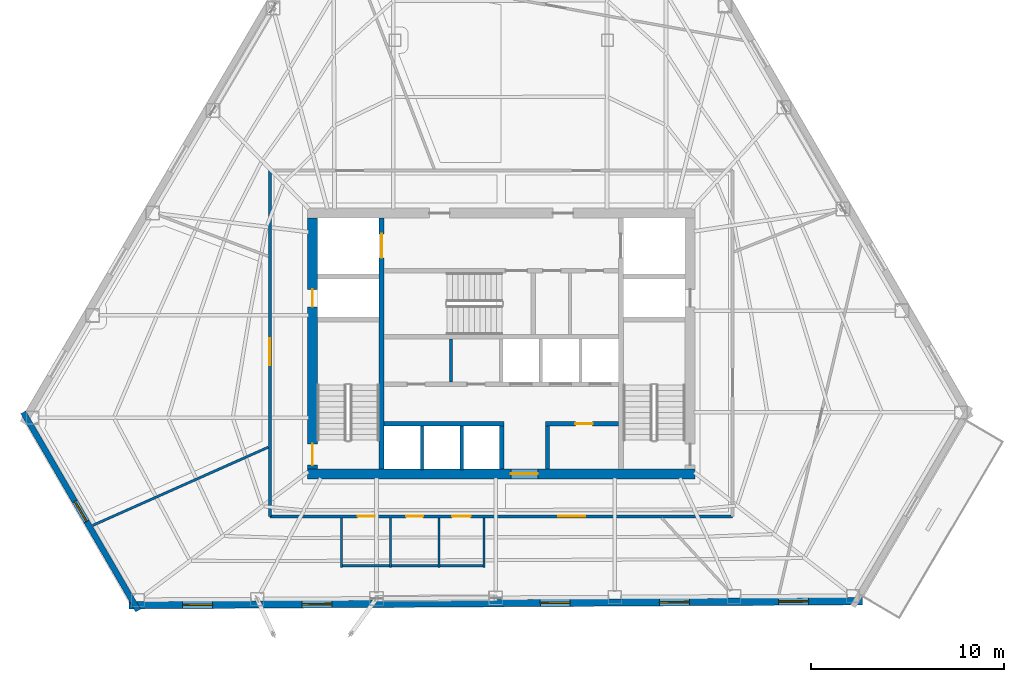
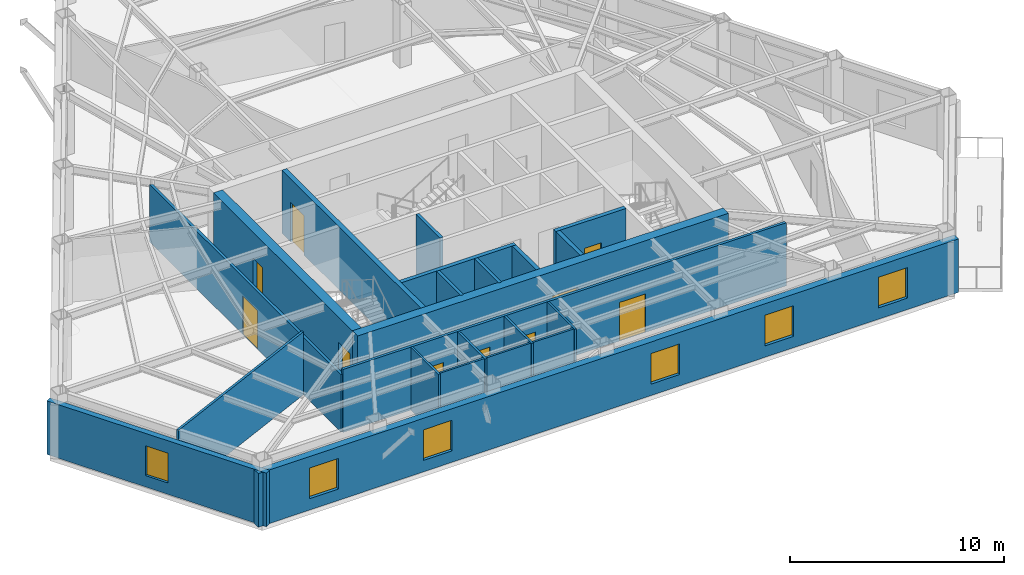
# One storey, part 6 of 11: 20 walls, 10 doors, 6 windows, 16 openings.
"""IFC4 building model written with IfcOpenShell, lengths in metres."""

from ifc_helpers import new_model, si_unit, direction, frame, frame_2d, origin, place, context, subcontext, project, spatial, rectangle, extrude, material, layer, layer_set, type_object, element, fill, save


model = new_model("IFC4")

# Units and contexts
model_context = context("Model", 3, precision=1e-05, world=origin(), true_north=direction((0.0, 1.0)))
body_context = subcontext(model_context, "Body", "Model", "MODEL_VIEW")
ifc_project = project(units=[si_unit("LENGTHUNIT", "METRE"), si_unit("AREAUNIT", "SQUARE_METRE"), si_unit("VOLUMEUNIT", "CUBIC_METRE"), si_unit("PLANEANGLEUNIT", "RADIAN"), si_unit("MASSUNIT", "GRAM", prefix="KILO")], contexts=[model_context])

# Site, building, storey
site_placement = place(None, origin())
site = spatial("IfcSite", under=ifc_project, at=site_placement, CompositionType="ELEMENT")
building_placement = place(site_placement, origin())
building = spatial("IfcBuilding", under=site, at=building_placement, Name="Kavelnor Concourse Tower", CompositionType="ELEMENT")
storey_placement = place(building_placement, frame((0.0, 0.0, 139.39990234375)))
storey = spatial("IfcBuildingStorey", under=building, at=storey_placement, Name="L35", CompositionType="ELEMENT", Elevation=139.39990234375)

# Wall, opening, door
ifc_material_1 = material(Name="Concrete C60/75", Category="concrete")
ifc_layer_1 = layer(ifc_material_1, 0.5, Name="Concrete C60/75")
ifc_layer_set_1 = layer_set([ifc_layer_1], Name="Concrete C60/75")
wall_type_1 = type_object("IfcWallType", Name="WL-CORE-Z2-500", PredefinedType="SOLIDWALL", material=ifc_layer_set_1)
wall_1_placement = place(storey_placement, frame((27.97998046875, 9.35009765625, 0.0), z_axis=(0.0, 0.0, 1.0), x_axis=(1.0, 0.0, 0.0)))
wall_1 = element("IfcWall", 1, at=wall_1_placement, inside=storey, type_object=wall_type_1, Name="L35 Central Core South Shear Wall", PredefinedType="SOLIDWALL", context=body_context, shape_type="SweptSolid", body=[
    extrude(rectangle(XDim=20.0400390625, YDim=0.5, at=frame_2d((10.02001953125, 0.0))), origin(), (0.0, 0.0, 1.0), 3.60009765625),
])
opening_1_placement = place(wall_1_placement, frame((10.52001953125, 0.0, 0.0)))
opening_1 = element("IfcOpeningElement", 2, at=opening_1_placement, cuts=wall_1, Name="Opening SD-140", PredefinedType="OPENING", context=body_context, shape_type="SweptSolid", body=[
    extrude(rectangle(XDim=1.39990234375, YDim=2.199951171875, at=frame_2d((0.699951171875, 1.10009765625))), frame((0.0, 0.260009765625, 0.0), z_axis=(0.0, -1.0, 0.0), x_axis=(1.0, 0.0, 0.0)), (0.0, 0.0, 1.0), 0.52001953125),
])
ifc_material_2 = material(Name="Solid-core hardwood timber", Category="wood")
door_type_1 = type_object("IfcDoorType", Name="DR-SUITE-ENTRY-1400", OperationType="NOTDEFINED", PredefinedType="DOOR", material=ifc_material_2)
door_1_placement = place(opening_1_placement, origin())
door_1 = element("IfcDoor", 3, at=door_1_placement, inside=storey, type_object=door_type_1, Name="L35 Passenger Lift Lobby Entry Door", OperationType="SINGLE_SWING_RIGHT", OverallHeight=2.199951171875, OverallWidth=1.39990234375, PredefinedType="DOOR", context=body_context, shape_type="SweptSolid", body=[
    extrude(rectangle(XDim=1.39990234375, YDim=2.199951171875, at=frame_2d((0.699951171875, 1.10009765625))), frame((0.0, 0.02490234375, 0.0), z_axis=(0.0, -1.0, 0.0), x_axis=(1.0, 0.0, 0.0)), (0.0, 0.0, 1.0), 0.050048828125),
])
fill(opening_1, door_1)

# Wall, openings, doors
wall_2_placement = place(storey_placement, frame((28.22998046875, 9.60009765625, 0.0), z_axis=(0.0, 0.0, 1.0), x_axis=(0.0, 1.0, 0.0)))
wall_2 = element("IfcWall", 4, at=wall_2_placement, inside=storey, type_object=wall_type_1, Name="L35 Central Core West Shear Wall", PredefinedType="SOLIDWALL", context=body_context, shape_type="SweptSolid", body=[
    extrude(rectangle(XDim=13.0, YDim=0.5, at=frame_2d((6.5, 0.0))), origin(), (0.0, 0.0, 1.0), 3.60009765625),
])
opening_2_placement = place(wall_2_placement, frame((0.199951171875, 0.0, 0.0)))
opening_2 = element("IfcOpeningElement", 5, at=opening_2_placement, cuts=wall_2, Name="Opening FD-110", PredefinedType="OPENING", context=body_context, shape_type="SweptSolid", body=[
    extrude(rectangle(XDim=1.10009765625, YDim=2.14990234375, at=frame_2d((0.550048828125, 1.074951171875))), frame((0.0, 0.260009765625, 0.0), z_axis=(0.0, -1.0, 0.0), x_axis=(1.0, 0.0, 0.0)), (0.0, 0.0, 1.0), 0.52001953125),
])
opening_3_placement = place(wall_2_placement, frame((8.39990234375, 0.0, 0.0)))
opening_3 = element("IfcOpeningElement", 6, at=opening_3_placement, cuts=wall_2, Name="Opening FD-090", PredefinedType="OPENING", context=body_context, shape_type="SweptSolid", body=[
    extrude(rectangle(XDim=0.89990234375, YDim=2.10009765625, at=frame_2d((0.449951171875, 1.050048828125))), frame((0.0, 0.260009765625, 0.0), z_axis=(0.0, -1.0, 0.0), x_axis=(1.0, 0.0, 0.0)), (0.0, 0.0, 1.0), 0.52001953125),
])
ifc_material_3 = material(Name="Steel Grade 350", Category="steel")
door_type_2 = type_object("IfcDoorType", Name="DR-RISER-FIRE-900", OperationType="NOTDEFINED", PredefinedType="DOOR", material=ifc_material_3)
door_2_placement = place(opening_3_placement, origin())
door_2 = element("IfcDoor", 7, at=door_2_placement, inside=storey, type_object=door_type_2, Name="L35 West Riser Access Door", OperationType="SINGLE_SWING_RIGHT", OverallHeight=2.10009765625, OverallWidth=0.89990234375, PredefinedType="DOOR", context=body_context, shape_type="SweptSolid", body=[
    extrude(rectangle(XDim=0.89990234375, YDim=2.10009765625, at=frame_2d((0.449951171875, 1.050048828125))), frame((0.0, 0.02490234375, 0.0), z_axis=(0.0, -1.0, 0.0), x_axis=(1.0, 0.0, 0.0)), (0.0, 0.0, 1.0), 0.050048828125),
])
fill(opening_3, door_2)
door_type_3 = type_object("IfcDoorType", Name="DR-STAIR-FIRE-1100", OperationType="NOTDEFINED", PredefinedType="DOOR", material=ifc_material_3)
door_3_placement = place(opening_2_placement, origin())
door_3 = element("IfcDoor", 8, at=door_3_placement, inside=storey, type_object=door_type_3, Name="L35 Stair ST1 Fire Door", OperationType="SINGLE_SWING_LEFT", OverallHeight=2.14990234375, OverallWidth=1.10009765625, PredefinedType="DOOR", context=body_context, shape_type="SweptSolid", body=[
    extrude(rectangle(XDim=1.10009765625, YDim=2.14990234375, at=frame_2d((0.550048828125, 1.074951171875))), frame((0.0, 0.02490234375, 0.0), z_axis=(0.0, -1.0, 0.0), x_axis=(1.0, 0.0, 0.0)), (0.0, 0.0, 1.0), 0.050048828125),
])
fill(opening_2, door_3)

# Wall, opening, window
ifc_material_4 = material(Name="Buff ironspot clay face brick masonry", Category="masonry")
ifc_layer_2 = layer(ifc_material_4, 0.300048828125, Name="Buff ironspot clay face brick masonry")
ifc_layer_set_2 = layer_set([ifc_layer_2], Name="Buff ironspot clay face brick masonry")
wall_type_2 = type_object("IfcWallType", Name="WL-EXT-BUFF-BRICK-FOLD-300", PredefinedType="STANDARD", material=ifc_layer_set_2)
wall_3_placement = place(storey_placement, frame((19.209228515625, 2.28173828125, 0.0), z_axis=(0.0, 0.0, 1.0), x_axis=(-0.501777863024, 0.864996518016, 0.0)))
wall_3 = element("IfcWall", 9, at=wall_3_placement, inside=storey, type_object=wall_type_2, Name="L35 Exterior Brick Facade Wall E2", PredefinedType="STANDARD", context=body_context, shape_type="SweptSolid", body=[
    extrude(rectangle(XDim=11.858154296875, YDim=0.300048828125, at=frame_2d((5.92919921875, 0.0))), origin(), (0.0, 0.0, 1.0), 3.05908203125),
])
opening_4_placement = place(wall_3_placement, frame((5.3291015625, 0.0, 0.64990234375)))
opening_4 = element("IfcOpeningElement", 10, at=opening_4_placement, cuts=wall_3, Name="Opening W-05", PredefinedType="OPENING", context=body_context, shape_type="SweptSolid", body=[
    extrude(rectangle(XDim=1.199951171875, YDim=1.699951171875, at=frame_2d((0.60009765625, 0.85009765625))), frame((0.0, 0.16015625, 0.0), z_axis=(0.0, -1.0, 0.0), x_axis=(1.0, 0.0, 0.0)), (0.0, 0.0, 1.0), 0.320068359375),
])
ifc_material_5 = material(Name="Double low-E argon insulated glazing", Category="glass")
window_type_1 = type_object("IfcWindowType", Name="WIN-FOLD-1200", PartitioningType="SINGLE_PANEL", PredefinedType="WINDOW", material=ifc_material_5)
window_1_placement = place(opening_4_placement, origin())
window_1 = element("IfcWindow", 11, at=window_1_placement, inside=storey, type_object=window_type_1, Name="L35 Chamfer-Fold Facet Window C1", OverallHeight=1.699951171875, OverallWidth=1.199951171875, PartitioningType="SINGLE_PANEL", PredefinedType="WINDOW", context=body_context, shape_type="SweptSolid", body=[
    extrude(rectangle(XDim=1.199951171875, YDim=1.699951171875, at=frame_2d((0.60009765625, 0.85009765625))), frame((0.0, 0.030029296875, 0.0), z_axis=(0.0, -1.0, 0.0), x_axis=(1.0, 0.0, 0.0)), (0.0, 0.0, 1.0), 0.06005859375),
])
fill(opening_4, window_1)

# Wall, openings, windows
ifc_material_6 = material(Name="Red-ochre clay face brick masonry", Category="masonry")
ifc_layer_3 = layer(ifc_material_6, 0.3798828125, Name="Red-ochre clay face brick masonry")
ifc_layer_set_3 = layer_set([ifc_layer_3], Name="Red-ochre clay face brick masonry")
wall_type_3 = type_object("IfcWallType", Name="WL-EXT-RED-BRICK-PIER-380", PredefinedType="STANDARD", material=ifc_layer_set_3)
wall_4_placement = place(storey_placement, frame((56.685546875, 2.769287109375, 0.0), z_axis=(0.0, 0.0, 1.0), x_axis=(-0.999984524956, -0.00556325886, 0.0)))
wall_4 = element("IfcWall", 12, at=wall_4_placement, inside=storey, type_object=wall_type_3, Name="L35 Exterior Brick Facade Wall E3", PredefinedType="STANDARD", context=body_context, shape_type="SweptSolid", body=[
    extrude(rectangle(XDim=37.9599609375, YDim=0.3798828125, at=frame_2d((18.97998046875, 0.0))), origin(), (0.0, 0.0, 1.0), 3.05908203125),
])
opening_5_placement = place(wall_4_placement, frame((33.622802734375, 0.0, 0.64990234375)))
opening_5 = element("IfcOpeningElement", 13, at=opening_5_placement, cuts=wall_4, Name="Opening W-02", PredefinedType="OPENING", context=body_context, shape_type="SweptSolid", body=[
    extrude(rectangle(XDim=1.550048828125, YDim=1.75, at=frame_2d((0.77490234375, 0.875))), frame((0.0, 0.199951171875, 0.0), z_axis=(0.0, -1.0, 0.0), x_axis=(1.0, 0.0, 0.0)), (0.0, 0.0, 1.0), 0.39990234375),
])
opening_6_placement = place(wall_4_placement, frame((27.45458984375, 0.0, 0.64990234375)))
opening_6 = element("IfcOpeningElement", 14, at=opening_6_placement, cuts=wall_4, Name="Opening W-02", PredefinedType="OPENING", context=body_context, shape_type="SweptSolid", body=[
    extrude(rectangle(XDim=1.550048828125, YDim=1.75, at=frame_2d((0.77490234375, 0.875))), frame((0.0, 0.199951171875, 0.0), z_axis=(0.0, -1.0, 0.0), x_axis=(1.0, 0.0, 0.0)), (0.0, 0.0, 1.0), 0.39990234375),
])
opening_7_placement = place(wall_4_placement, frame((15.118408203125, 0.0, 0.64990234375)))
opening_7 = element("IfcOpeningElement", 15, at=opening_7_placement, cuts=wall_4, Name="Opening W-02", PredefinedType="OPENING", context=body_context, shape_type="SweptSolid", body=[
    extrude(rectangle(XDim=1.550048828125, YDim=1.75, at=frame_2d((0.77490234375, 0.875))), frame((0.0, 0.199951171875, 0.0), z_axis=(0.0, -1.0, 0.0), x_axis=(1.0, 0.0, 0.0)), (0.0, 0.0, 1.0), 0.39990234375),
])
opening_8_placement = place(wall_4_placement, frame((8.9501953125, 0.0, 0.64990234375)))
opening_8 = element("IfcOpeningElement", 16, at=opening_8_placement, cuts=wall_4, Name="Opening W-02", PredefinedType="OPENING", context=body_context, shape_type="SweptSolid", body=[
    extrude(rectangle(XDim=1.550048828125, YDim=1.75, at=frame_2d((0.77490234375, 0.875))), frame((0.0, 0.199951171875, 0.0), z_axis=(0.0, -1.0, 0.0), x_axis=(1.0, 0.0, 0.0)), (0.0, 0.0, 1.0), 0.39990234375),
])
opening_9_placement = place(wall_4_placement, frame((2.781982421875, 0.0, 0.64990234375)))
opening_9 = element("IfcOpeningElement", 17, at=opening_9_placement, cuts=wall_4, Name="Opening W-02", PredefinedType="OPENING", context=body_context, shape_type="SweptSolid", body=[
    extrude(rectangle(XDim=1.550048828125, YDim=1.75, at=frame_2d((0.77490234375, 0.875))), frame((0.0, 0.199951171875, 0.0), z_axis=(0.0, -1.0, 0.0), x_axis=(1.0, 0.0, 0.0)), (0.0, 0.0, 1.0), 0.39990234375),
])
window_type_2 = type_object("IfcWindowType", Name="WIN-PIER-Z2-1650", PartitioningType="SINGLE_PANEL", PredefinedType="WINDOW", material=ifc_material_5)
window_2_placement = place(opening_5_placement, origin())
window_2 = element("IfcWindow", 18, at=window_2_placement, inside=storey, type_object=window_type_2, Name="L35 Deep-Set Brick Pier Window F1-B0", OverallHeight=1.75, OverallWidth=1.550048828125, PartitioningType="SINGLE_PANEL", PredefinedType="WINDOW", context=body_context, shape_type="SweptSolid", body=[
    extrude(rectangle(XDim=1.550048828125, YDim=1.75, at=frame_2d((0.77490234375, 0.875))), frame((0.0, 0.030029296875, 0.0), z_axis=(0.0, -1.0, 0.0), x_axis=(1.0, 0.0, 0.0)), (0.0, 0.0, 1.0), 0.06005859375),
])
fill(opening_5, window_2)
window_3_placement = place(opening_6_placement, origin())
window_3 = element("IfcWindow", 19, at=window_3_placement, inside=storey, type_object=window_type_2, Name="L35 Deep-Set Brick Pier Window F1-B1", OverallHeight=1.75, OverallWidth=1.550048828125, PartitioningType="SINGLE_PANEL", PredefinedType="WINDOW", context=body_context, shape_type="SweptSolid", body=[
    extrude(rectangle(XDim=1.550048828125, YDim=1.75, at=frame_2d((0.77490234375, 0.875))), frame((0.0, 0.030029296875, 0.0), z_axis=(0.0, -1.0, 0.0), x_axis=(1.0, 0.0, 0.0)), (0.0, 0.0, 1.0), 0.06005859375),
])
fill(opening_6, window_3)
window_4_placement = place(opening_7_placement, origin())
window_4 = element("IfcWindow", 20, at=window_4_placement, inside=storey, type_object=window_type_2, Name="L35 Deep-Set Brick Pier Window F1-B3", OverallHeight=1.75, OverallWidth=1.550048828125, PartitioningType="SINGLE_PANEL", PredefinedType="WINDOW", context=body_context, shape_type="SweptSolid", body=[
    extrude(rectangle(XDim=1.550048828125, YDim=1.75, at=frame_2d((0.77490234375, 0.875))), frame((0.0, 0.030029296875, 0.0), z_axis=(0.0, -1.0, 0.0), x_axis=(1.0, 0.0, 0.0)), (0.0, 0.0, 1.0), 0.06005859375),
])
fill(opening_7, window_4)
window_5_placement = place(opening_8_placement, origin())
window_5 = element("IfcWindow", 21, at=window_5_placement, inside=storey, type_object=window_type_2, Name="L35 Deep-Set Brick Pier Window F1-B4", OverallHeight=1.75, OverallWidth=1.550048828125, PartitioningType="SINGLE_PANEL", PredefinedType="WINDOW", context=body_context, shape_type="SweptSolid", body=[
    extrude(rectangle(XDim=1.550048828125, YDim=1.75, at=frame_2d((0.77490234375, 0.875))), frame((0.0, 0.030029296875, 0.0), z_axis=(0.0, -1.0, 0.0), x_axis=(1.0, 0.0, 0.0)), (0.0, 0.0, 1.0), 0.06005859375),
])
fill(opening_8, window_5)
window_6_placement = place(opening_9_placement, origin())
window_6 = element("IfcWindow", 22, at=window_6_placement, inside=storey, type_object=window_type_2, Name="L35 Deep-Set Brick Pier Window F1-B5", OverallHeight=1.75, OverallWidth=1.550048828125, PartitioningType="SINGLE_PANEL", PredefinedType="WINDOW", context=body_context, shape_type="SweptSolid", body=[
    extrude(rectangle(XDim=1.550048828125, YDim=1.75, at=frame_2d((0.77490234375, 0.875))), frame((0.0, 0.030029296875, 0.0), z_axis=(0.0, -1.0, 0.0), x_axis=(1.0, 0.0, 0.0)), (0.0, 0.0, 1.0), 0.06005859375),
])
fill(opening_9, window_6)

# Wall, opening, door
ifc_material_7 = material(Name="Gypsum plasterboard on light-gauge steel studs", Category="steel")
ifc_layer_4 = layer(ifc_material_7, 0.14501953125, Name="Gypsum plasterboard on light-gauge steel studs")
ifc_layer_set_4 = layer_set([ifc_layer_4], Name="Gypsum plasterboard on light-gauge steel studs")
wall_type_4 = type_object("IfcWallType", Name="WL-INT-CORR-145", PredefinedType="PARTITIONING", material=ifc_layer_set_4)
wall_5_placement = place(storey_placement, frame((26.030029296875, 25.050048828125, 0.0), z_axis=(0.0, 0.0, 1.0), x_axis=(0.0, -1.0, 0.0)))
wall_5 = element("IfcWall", 23, at=wall_5_placement, inside=storey, type_object=wall_type_4, Name="L35 Corridor Wall WL-L35-CR-03", PredefinedType="PARTITIONING", context=body_context, shape_type="SweptSolid", body=[
    extrude(rectangle(XDim=17.900146484375, YDim=0.14501953125, at=frame_2d((8.9501953125, 0.0))), origin(), (0.0, 0.0, 1.0), 3.2880859375),
])
opening_10_placement = place(wall_5_placement, frame((8.675537109375, 0.0, 0.0)))
opening_10 = element("IfcOpeningElement", 24, at=opening_10_placement, cuts=wall_5, Name="Opening SD-140", PredefinedType="OPENING", context=body_context, shape_type="SweptSolid", body=[
    extrude(rectangle(XDim=1.39990234375, YDim=2.199951171875, at=frame_2d((0.699951171875, 1.10009765625))), frame((0.0, 0.08251953125, 0.0), z_axis=(0.0, -1.0, 0.0), x_axis=(1.0, 0.0, 0.0)), (0.0, 0.0, 1.0), 0.1650390625),
])
door_4_placement = place(opening_10_placement, origin())
door_4 = element("IfcDoor", 25, at=door_4_placement, inside=storey, type_object=door_type_1, Name="L35 Staff Breakout Pantry 04 Door", OperationType="SINGLE_SWING_RIGHT", OverallHeight=2.199951171875, OverallWidth=1.39990234375, PredefinedType="DOOR", context=body_context, shape_type="SweptSolid", body=[
    extrude(rectangle(XDim=1.39990234375, YDim=2.199951171875, at=frame_2d((0.699951171875, 1.10009765625))), frame((0.0, 0.02490234375, 0.0), z_axis=(0.0, -1.0, 0.0), x_axis=(1.0, 0.0, 0.0)), (0.0, 0.0, 1.0), 0.050048828125),
])
fill(opening_10, door_4)

# Wall, openings, doors
wall_6_placement = place(storey_placement, frame((26.030029296875, 7.14990234375, 0.0), z_axis=(0.0, 0.0, 1.0), x_axis=(1.0, 0.0, 0.0)))
wall_6 = element("IfcWall", 26, at=wall_6_placement, inside=storey, type_object=wall_type_4, Name="L35 Corridor Wall WL-L35-CR-04", PredefinedType="PARTITIONING", context=body_context, shape_type="SweptSolid", body=[
    extrude(rectangle(XDim=23.93994140625, YDim=0.14501953125, at=frame_2d((11.969970703125, 0.0))), origin(), (0.0, 0.0, 1.0), 3.60009765625),
])
opening_11_placement = place(wall_6_placement, frame((4.530029296875, 0.0, 0.0)))
opening_11 = element("IfcOpeningElement", 27, at=opening_11_placement, cuts=wall_6, Name="Opening WD-088", PredefinedType="OPENING", context=body_context, shape_type="SweptSolid", body=[
    extrude(rectangle(XDim=0.8798828125, YDim=2.10009765625, at=frame_2d((0.43994140625, 1.050048828125))), frame((0.0, 0.08251953125, 0.0), z_axis=(0.0, -1.0, 0.0), x_axis=(1.0, 0.0, 0.0)), (0.0, 0.0, 1.0), 0.1650390625),
])
opening_12_placement = place(wall_6_placement, frame((7.050048828125, 0.0, 0.0)))
opening_12 = element("IfcOpeningElement", 28, at=opening_12_placement, cuts=wall_6, Name="Opening WD-088", PredefinedType="OPENING", context=body_context, shape_type="SweptSolid", body=[
    extrude(rectangle(XDim=0.8798828125, YDim=2.10009765625, at=frame_2d((0.43994140625, 1.050048828125))), frame((0.0, 0.08251953125, 0.0), z_axis=(0.0, -1.0, 0.0), x_axis=(1.0, 0.0, 0.0)), (0.0, 0.0, 1.0), 0.1650390625),
])
opening_13_placement = place(wall_6_placement, frame((9.429931640625, 0.0, 0.0)))
opening_13 = element("IfcOpeningElement", 29, at=opening_13_placement, cuts=wall_6, Name="Opening WD-096", PredefinedType="OPENING", context=body_context, shape_type="SweptSolid", body=[
    extrude(rectangle(XDim=0.9599609375, YDim=2.10009765625, at=frame_2d((0.47998046875, 1.050048828125))), frame((0.0, 0.08251953125, 0.0), z_axis=(0.0, -1.0, 0.0), x_axis=(1.0, 0.0, 0.0)), (0.0, 0.0, 1.0), 0.1650390625),
])
opening_14_placement = place(wall_6_placement, frame((14.9248046875, 0.0, 0.0)))
opening_14 = element("IfcOpeningElement", 30, at=opening_14_placement, cuts=wall_6, Name="Opening SD-140", PredefinedType="OPENING", context=body_context, shape_type="SweptSolid", body=[
    extrude(rectangle(XDim=1.39990234375, YDim=2.199951171875, at=frame_2d((0.699951171875, 1.10009765625))), frame((0.0, 0.08251953125, 0.0), z_axis=(0.0, -1.0, 0.0), x_axis=(1.0, 0.0, 0.0)), (0.0, 0.0, 1.0), 0.1650390625),
])
door_5_placement = place(opening_14_placement, origin())
door_5 = element("IfcDoor", 31, at=door_5_placement, inside=storey, type_object=door_type_1, Name="L35 Staff Breakout Pantry 05 Door", OperationType="SINGLE_SWING_LEFT", OverallHeight=2.199951171875, OverallWidth=1.39990234375, PredefinedType="DOOR", context=body_context, shape_type="SweptSolid", body=[
    extrude(rectangle(XDim=1.39990234375, YDim=2.199951171875, at=frame_2d((0.699951171875, 1.10009765625))), frame((0.0, 0.02490234375, 0.0), z_axis=(0.0, -1.0, 0.0), x_axis=(1.0, 0.0, 0.0)), (0.0, 0.0, 1.0), 0.050048828125),
])
fill(opening_14, door_5)
door_type_4 = type_object("IfcDoorType", Name="DR-WC-ACC-960", OperationType="NOTDEFINED", PredefinedType="DOOR", material=ifc_material_2)
door_6_placement = place(opening_13_placement, origin())
door_6 = element("IfcDoor", 32, at=door_6_placement, inside=storey, type_object=door_type_4, Name="L35 Accessible WC Door", OperationType="SINGLE_SWING_LEFT", OverallHeight=2.10009765625, OverallWidth=0.9599609375, PredefinedType="DOOR", context=body_context, shape_type="SweptSolid", body=[
    extrude(rectangle(XDim=0.9599609375, YDim=2.10009765625, at=frame_2d((0.47998046875, 1.050048828125))), frame((0.0, 0.02490234375, 0.0), z_axis=(0.0, -1.0, 0.0), x_axis=(1.0, 0.0, 0.0)), (0.0, 0.0, 1.0), 0.050048828125),
])
fill(opening_13, door_6)
door_type_5 = type_object("IfcDoorType", Name="DR-WC-STD-880", OperationType="NOTDEFINED", PredefinedType="DOOR", material=ifc_material_2)
door_7_placement = place(opening_11_placement, origin())
door_7 = element("IfcDoor", 33, at=door_7_placement, inside=storey, type_object=door_type_5, Name="L35 Male WC Door", OperationType="SINGLE_SWING_LEFT", OverallHeight=2.10009765625, OverallWidth=0.8798828125, PredefinedType="DOOR", context=body_context, shape_type="SweptSolid", body=[
    extrude(rectangle(XDim=0.8798828125, YDim=2.10009765625, at=frame_2d((0.43994140625, 1.050048828125))), frame((0.0, 0.02490234375, 0.0), z_axis=(0.0, -1.0, 0.0), x_axis=(1.0, 0.0, 0.0)), (0.0, 0.0, 1.0), 0.050048828125),
])
fill(opening_11, door_7)
door_8_placement = place(opening_12_placement, origin())
door_8 = element("IfcDoor", 34, at=door_8_placement, inside=storey, type_object=door_type_5, Name="L35 Female WC Door", OperationType="SINGLE_SWING_RIGHT", OverallHeight=2.10009765625, OverallWidth=0.8798828125, PredefinedType="DOOR", context=body_context, shape_type="SweptSolid", body=[
    extrude(rectangle(XDim=0.8798828125, YDim=2.10009765625, at=frame_2d((0.43994140625, 1.050048828125))), frame((0.0, 0.02490234375, 0.0), z_axis=(0.0, -1.0, 0.0), x_axis=(1.0, 0.0, 0.0)), (0.0, 0.0, 1.0), 0.050048828125),
])
fill(opening_12, door_8)

# Walls
ifc_layer_5 = layer(ifc_material_7, 0.1650390625, Name="Gypsum plasterboard on light-gauge steel studs")
ifc_layer_set_5 = layer_set([ifc_layer_5], Name="Gypsum plasterboard on light-gauge steel studs")
wall_type_5 = type_object("IfcWallType", Name="WL-INT-FIRE-165", PredefinedType="PARTITIONING", material=ifc_layer_set_5)
for number, where, z_axis, x_axis, name in (
    (35, (33.89990234375, 9.550048828125, 0.0), (0.0, 0.0, 1.0), (0.0, 1.0, 0.0), "L35 Lift Shaft Divider LP7"),
    (36, (35.949951171875, 9.550048828125, 0.0), (0.0, 0.0, 1.0), (0.0, 1.0, 0.0), "L35 Lift Shaft Divider LP8"),
):
    element("IfcWall", number, at=place(storey_placement, frame(where, z_axis=z_axis, x_axis=x_axis)), inside=storey, type_object=wall_type_5, Name=name, PredefinedType="PARTITIONING", context=body_context, shape_type="SweptSolid", body=[
        extrude(rectangle(XDim=2.2900390625, YDim=0.1650390625, at=frame_2d((1.14501953125, 0.0))), origin(), (0.0, 0.0, 1.0), 3.60009765625),
    ])
wall_7_placement = place(storey_placement, frame((35.39990234375, 14.10009765625, 0.0), z_axis=(0.0, 0.0, 1.0), x_axis=(0.0, 1.0, 0.0)))
element("IfcWall", 37, at=wall_7_placement, inside=storey, type_object=wall_type_5, Name="L35 Reclaimed Core Split Wall", PredefinedType="PARTITIONING", context=body_context, shape_type="SweptSolid", body=[
    extrude(rectangle(XDim=2.239990234375, YDim=0.1650390625, at=frame_2d((1.1201171875, 0.0))), origin(), (0.0, 0.0, 1.0), 3.60009765625),
])
ifc_layer_6 = layer(ifc_material_7, 0.125, Name="Gypsum plasterboard on light-gauge steel studs")
ifc_layer_set_6 = layer_set([ifc_layer_6], Name="Gypsum plasterboard on light-gauge steel studs")
wall_type_6 = type_object("IfcWallType", Name="WL-INT-SUITE-125", PredefinedType="PARTITIONING", material=ifc_layer_set_6)
wall_8_placement = place(storey_placement, frame((25.949462890625, 10.73486328125, 0.0), z_axis=(0.0, 0.0, 1.0), x_axis=(-0.913541286937, -0.406746010505, 0.0)))
element("IfcWall", 38, at=wall_8_placement, inside=storey, type_object=wall_type_6, Name="L35 Radial Suite Partition 04", PredefinedType="PARTITIONING", context=body_context, shape_type="SweptSolid", body=[
    extrude(rectangle(XDim=9.95361328125, YDim=0.125, at=frame_2d((4.976806640625, 0.0))), origin(), (0.0, 0.0, 1.0), 3.60009765625),
])
ifc_layer_7 = layer(ifc_material_7, 0.110107421875, Name="Gypsum plasterboard on light-gauge steel studs")
ifc_layer_set_7 = layer_set([ifc_layer_7], Name="Gypsum plasterboard on light-gauge steel studs")
wall_type_7 = type_object("IfcWallType", Name="WL-INT-WC-110", PredefinedType="PLUMBINGWALL", material=ifc_layer_set_7)
for number, where, z_axis, x_axis, name in (
    (39, (29.739990234375, 4.5, 0.0), (0.0, 0.0, 1.0), (0.0, 1.0, 0.0), "L35 Sanitary Partition WL-L35-WC-W"),
    (40, (32.260009765625, 4.5, 0.0), (0.0, 0.0, 1.0), (0.0, 1.0, 0.0), "L35 Sanitary Partition WL-L35-WC-D1"),
    (41, (34.780029296875, 4.5, 0.0), (0.0, 0.0, 1.0), (0.0, 1.0, 0.0), "L35 Sanitary Partition WL-L35-WC-D2"),
    (42, (37.10009765625, 4.5, 0.0), (0.0, 0.0, 1.0), (0.0, 1.0, 0.0), "L35 Sanitary Partition WL-L35-WC-E"),
):
    element("IfcWall", number, at=place(storey_placement, frame(where, z_axis=z_axis, x_axis=x_axis)), inside=storey, type_object=wall_type_7, Name=name, PredefinedType="PLUMBINGWALL", context=body_context, shape_type="SweptSolid", body=[
        extrude(rectangle(XDim=2.580078125, YDim=0.110107421875, at=frame_2d((1.2900390625, 0.0))), origin(), (0.0, 0.0, 1.0), 3.60009765625),
    ])
wall_9_placement = place(storey_placement, frame((29.68994140625, 4.60009765625, 0.0), z_axis=(0.0, 0.0, 1.0), x_axis=(1.0, 0.0, 0.0)))
element("IfcWall", 43, at=wall_9_placement, inside=storey, type_object=wall_type_7, Name="L35 Sanitary Partition WL-L35-WC-S", PredefinedType="PLUMBINGWALL", context=body_context, shape_type="SweptSolid", body=[
    extrude(rectangle(XDim=7.4599609375, YDim=0.110107421875, at=frame_2d((3.72998046875, 0.0))), origin(), (0.0, 0.0, 1.0), 3.60009765625),
])
ifc_material_8 = material(Name="Concrete C50/60", Category="concrete")
ifc_layer_8 = layer(ifc_material_8, 0.219970703125, Name="Concrete C50/60")
ifc_layer_set_8 = layer_set([ifc_layer_8], Name="Concrete C50/60")
wall_type_8 = type_object("IfcWallType", Name="WL-SHAFT-220", PredefinedType="SOLIDWALL", material=ifc_layer_set_8)
wall_10_placement = place(storey_placement, frame((31.93994140625, 11.949951171875, 0.0), z_axis=(0.0, 0.0, 1.0), x_axis=(1.0, 0.0, 0.0)))
element("IfcWall", 44, at=wall_10_placement, inside=storey, type_object=wall_type_8, Name="L35 High-Rise Lift Bank North Wall", PredefinedType="SOLIDWALL", context=body_context, shape_type="SweptSolid", body=[
    extrude(rectangle(XDim=6.18994140625, YDim=0.219970703125, at=frame_2d((3.094970703125, 0.0))), origin(), (0.0, 0.0, 1.0), 3.60009765625),
])

# Wall, opening, door
wall_11_placement = place(storey_placement, frame((40.280029296875, 11.949951171875, 0.0), z_axis=(0.0, 0.0, 1.0), x_axis=(1.0, 0.0, 0.0)))
wall_11 = element("IfcWall", 45, at=wall_11_placement, inside=storey, type_object=wall_type_8, Name="L35 Core South Support North Wall", PredefinedType="SOLIDWALL", context=body_context, shape_type="SweptSolid", body=[
    extrude(rectangle(XDim=3.780029296875, YDim=0.219970703125, at=frame_2d((1.89013671875, 0.0))), origin(), (0.0, 0.0, 1.0), 3.60009765625),
])
opening_15_placement = place(wall_11_placement, frame((1.550048828125, 0.0, 0.0)))
opening_15 = element("IfcOpeningElement", 46, at=opening_15_placement, cuts=wall_11, Name="Opening FD-090", PredefinedType="OPENING", context=body_context, shape_type="SweptSolid", body=[
    extrude(rectangle(XDim=0.89990234375, YDim=2.10009765625, at=frame_2d((0.449951171875, 1.050048828125))), frame((0.0, 0.1201171875, 0.0), z_axis=(0.0, -1.0, 0.0), x_axis=(1.0, 0.0, 0.0)), (0.0, 0.0, 1.0), 0.239990234375),
])
door_9_placement = place(opening_15_placement, origin())
door_9 = element("IfcDoor", 47, at=door_9_placement, inside=storey, type_object=door_type_2, Name="L35 BMS Metering Door", OperationType="SINGLE_SWING_RIGHT", OverallHeight=2.10009765625, OverallWidth=0.89990234375, PredefinedType="DOOR", context=body_context, shape_type="SweptSolid", body=[
    extrude(rectangle(XDim=0.89990234375, YDim=2.10009765625, at=frame_2d((0.449951171875, 1.050048828125))), frame((0.0, 0.02490234375, 0.0), z_axis=(0.0, -1.0, 0.0), x_axis=(1.0, 0.0, 0.0)), (0.0, 0.0, 1.0), 0.050048828125),
])
fill(opening_15, door_9)

# Walls
for number, where, z_axis, x_axis, name in (
    (48, (38.02001953125, 9.60009765625, 0.0), (0.0, 0.0, 1.0), (0.0, 1.0, 0.0), "L35 Lift Lobby Throat West Wall"),
    (49, (40.389892578125, 9.60009765625, 0.0), (0.0, 0.0, 1.0), (0.0, 1.0, 0.0), "L35 Lift Lobby Throat East Wall"),
):
    element("IfcWall", number, at=place(storey_placement, frame(where, z_axis=z_axis, x_axis=x_axis)), inside=storey, type_object=wall_type_8, Name=name, PredefinedType="SOLIDWALL", context=body_context, shape_type="SweptSolid", body=[
        extrude(rectangle(XDim=2.239990234375, YDim=0.219970703125, at=frame_2d((1.1201171875, 0.0))), origin(), (0.0, 0.0, 1.0), 3.60009765625),
    ])

# Wall, opening, door
ifc_layer_9 = layer(ifc_material_8, 0.260009765625, Name="Concrete C50/60")
ifc_layer_set_9 = layer_set([ifc_layer_9], Name="Concrete C50/60")
wall_type_9 = type_object("IfcWallType", Name="WL-SHAFT-260", PredefinedType="SHEAR", material=ifc_layer_set_9)
wall_12_placement = place(storey_placement, frame((31.81005859375, 9.60009765625, 0.0), z_axis=(0.0, 0.0, 1.0), x_axis=(0.0, 1.0, 0.0)))
wall_12 = element("IfcWall", 50, at=wall_12_placement, inside=storey, type_object=wall_type_9, Name="L35 Core West Wing Shear Wall", PredefinedType="SHEAR", context=body_context, shape_type="SweptSolid", body=[
    extrude(rectangle(XDim=13.0, YDim=0.260009765625, at=frame_2d((6.5, 0.0))), origin(), (0.0, 0.0, 1.0), 3.60009765625),
])
opening_16_placement = place(wall_12_placement, frame((10.925048828125, 0.0, 0.0)))
opening_16 = element("IfcOpeningElement", 51, at=opening_16_placement, cuts=wall_12, Name="Opening LD-125", PredefinedType="OPENING", context=body_context, shape_type="SweptSolid", body=[
    extrude(rectangle(XDim=1.25, YDim=2.25, at=frame_2d((0.625, 1.125))), frame((0.0, 0.14013671875, 0.0), z_axis=(0.0, -1.0, 0.0), x_axis=(1.0, 0.0, 0.0)), (0.0, 0.0, 1.0), 0.280029296875),
])
door_type_6 = type_object("IfcDoorType", Name="DR-LIFT-SLIDING-1250", OperationType="NOTDEFINED", PredefinedType="DOOR", material=ifc_material_3)
door_10_placement = place(opening_16_placement, origin())
door_10 = element("IfcDoor", 52, at=door_10_placement, inside=storey, type_object=door_type_6, Name="L35 Emergency Lift FL1 Landing Door", OperationType="DOUBLE_DOOR_SLIDING", OverallHeight=2.25, OverallWidth=1.25, PredefinedType="DOOR", context=body_context, shape_type="SweptSolid", body=[
    extrude(rectangle(XDim=1.25, YDim=2.25, at=frame_2d((0.625, 1.125))), frame((0.0, 0.02490234375, 0.0), z_axis=(0.0, -1.0, 0.0), x_axis=(1.0, 0.0, 0.0)), (0.0, 0.0, 1.0), 0.050048828125),
])
fill(opening_16, door_10)

save(model, "model.ifc")
